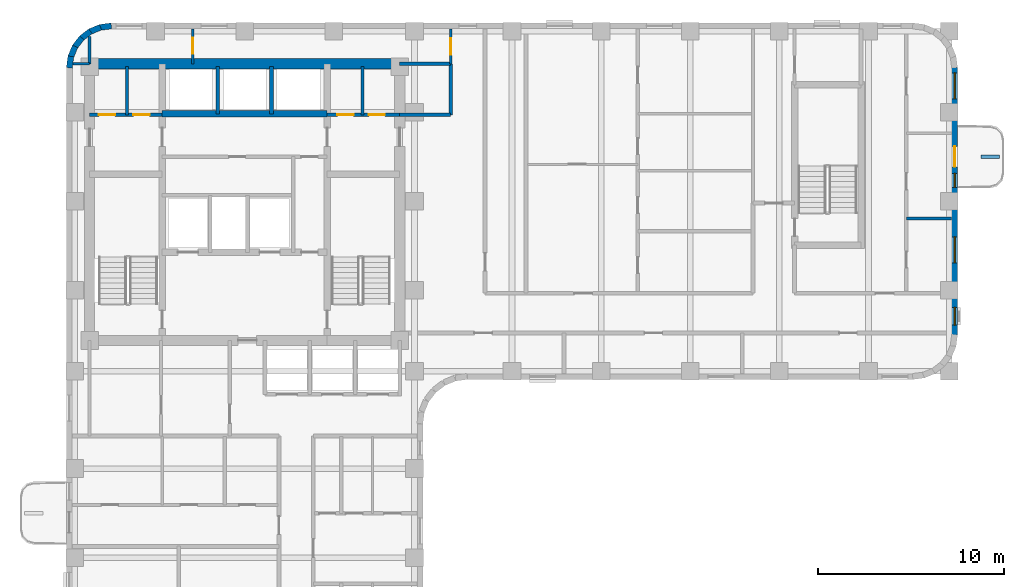
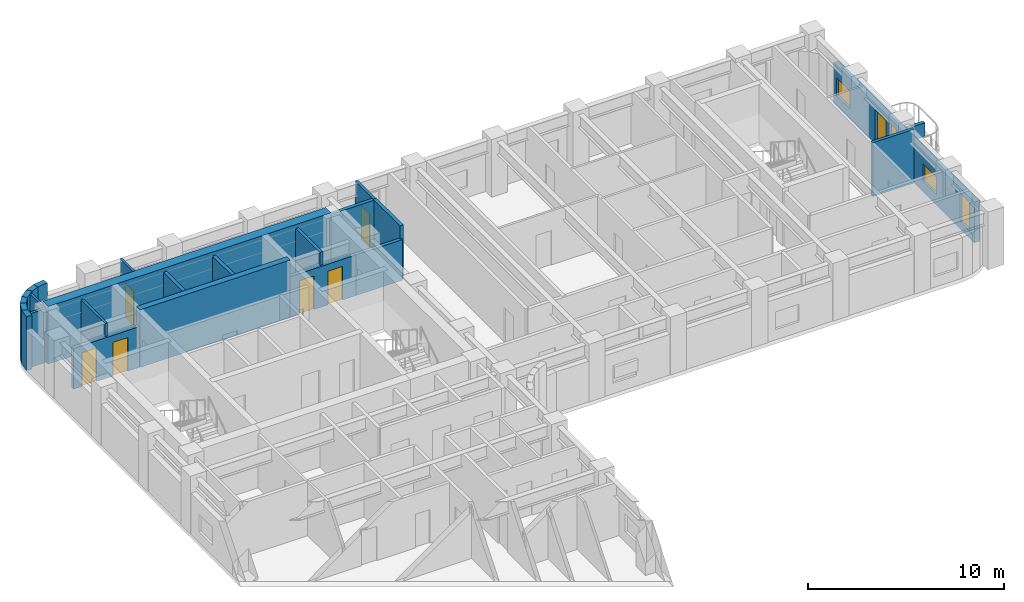
# One storey, part 6 of 10: 24 walls, 7 doors, 4 windows, 11 openings.
"""IFC4 building model written with IfcOpenShell, lengths in metres."""

from ifc_helpers import new_model, si_unit, direction, frame, frame_2d, origin, place, context, subcontext, project, spatial, rectangle, extrude, material, layer, layer_set, type_object, element, fill, save


model = new_model("IFC4")

# Units and contexts
model_context = context("Model", 3, precision=1e-05, world=origin(), true_north=direction((0.0, 1.0)))
body_context = subcontext(model_context, "Body", "Model", "MODEL_VIEW")
ifc_project = project(units=[si_unit("LENGTHUNIT", "METRE"), si_unit("AREAUNIT", "SQUARE_METRE"), si_unit("VOLUMEUNIT", "CUBIC_METRE"), si_unit("PLANEANGLEUNIT", "RADIAN"), si_unit("MASSUNIT", "GRAM", prefix="KILO")], contexts=[model_context])

# Site, building, storey
site_placement = place(None, origin())
site = spatial("IfcSite", under=ifc_project, at=site_placement, CompositionType="ELEMENT")
building_placement = place(site_placement, origin())
building = spatial("IfcBuilding", under=site, at=building_placement, Name="Orvandelia Arch Residences", CompositionType="ELEMENT")
storey_placement = place(building_placement, frame((0.0, 0.0, 139.60009765625)))
storey = spatial("IfcBuildingStorey", under=building, at=storey_placement, Name="L36", CompositionType="ELEMENT", Elevation=139.60009765625)

# Walls
ifc_material_1 = material(Name="Concrete C50/60", Category="concrete")
ifc_layer_1 = layer(ifc_material_1, 0.35009765625, Name="Concrete C50/60", Category="concrete")
ifc_layer_set_1 = layer_set([ifc_layer_1], Name="Concrete C50/60")
wall_type_1 = type_object("IfcWallType", Name="WL-CORE-350", PredefinedType="SHEAR", material=ifc_layer_set_1)
wall_1_placement = place(storey_placement, frame((9.9599609375, 43.10009765625, 0.0), z_axis=(0.0, 0.0, 1.0), x_axis=(1.0, 0.0, 0.0)))
element("IfcWall", 1, at=wall_1_placement, inside=storey, type_object=wall_type_1, Name="Core Shear Wall L36-HZ4", PredefinedType="SHEAR", context=body_context, shape_type="SweptSolid", body=[
    extrude(rectangle(XDim=8.880126953125, YDim=0.35009765625, at=frame_2d((4.43994140625, 0.0))), origin(), (0.0, 0.0, 1.0), 3.599853515625),
])
ifc_material_2 = material(Name="Concrete C60/75", Category="concrete")
ifc_layer_2 = layer(ifc_material_2, 0.550048828125, Name="Concrete C60/75", Category="concrete")
ifc_layer_set_2 = layer_set([ifc_layer_2], Name="Concrete C60/75")
wall_type_2 = type_object("IfcWallType", Name="WL-CORE-550", PredefinedType="SHEAR", material=ifc_layer_set_2)
wall_2_placement = place(storey_placement, frame((6.050048828125, 45.800048828125, 0.0), z_axis=(0.0, 0.0, 1.0), x_axis=(1.0, 0.0, 0.0)))
element("IfcWall", 2, at=wall_2_placement, inside=storey, type_object=wall_type_2, Name="Core Shear Wall L36-N", PredefinedType="SHEAR", context=body_context, shape_type="SweptSolid", body=[
    extrude(rectangle(XDim=16.699951171875, YDim=0.550048828125, at=frame_2d((8.35009765625, 0.0))), origin(), (0.0, 0.0, 1.0), 3.599853515625),
])
ifc_material_3 = material(Name="Fire-Rated Corridor Partition")
ifc_layer_3 = layer(ifc_material_3, 0.199951171875, Name="Fire-Rated Corridor Partition")
ifc_layer_set_3 = layer_set([ifc_layer_3], Name="Fire-Rated Corridor Partition")
wall_type_3 = type_object("IfcWallType", Name="WL-CORR-200", PredefinedType="PARTITIONING", material=ifc_layer_set_3)
wall_3_placement = place(storey_placement, frame((22.75, 45.800048828125, 0.0), z_axis=(0.0, 0.0, 1.0), x_axis=(1.0, 0.0, 0.0)))
element("IfcWall", 3, at=wall_3_placement, inside=storey, type_object=wall_type_3, Name="Interior Partition Wall WL-L36-NCE-S", PredefinedType="PARTITIONING", context=body_context, shape_type="SweptSolid", body=[
    extrude(rectangle(XDim=2.75, YDim=0.199951171875, at=frame_2d((1.375, 0.0))), origin(), (0.0, 0.0, 1.0), 3.35986328125),
])
wall_4_placement = place(storey_placement, frame((22.75, 43.050048828125, 0.0), z_axis=(0.0, 0.0, 1.0), x_axis=(1.0, 0.0, 0.0)))
element("IfcWall", 4, at=wall_4_placement, inside=storey, type_object=wall_type_3, Name="Interior Partition Wall WL-L36-ES-LS", PredefinedType="PARTITIONING", context=body_context, shape_type="SweptSolid", body=[
    extrude(rectangle(XDim=2.75, YDim=0.199951171875, at=frame_2d((1.375, 0.0))), origin(), (0.0, 0.0, 1.0), 2.539794921875),
])
wall_5_placement = place(storey_placement, frame((25.5, 43.050048828125, 0.0), z_axis=(0.0, 0.0, 1.0), x_axis=(0.0, 1.0, 0.0)))
element("IfcWall", 5, at=wall_5_placement, inside=storey, type_object=wall_type_3, Name="Interior Partition Wall WL-L36-ES-LW2", PredefinedType="PARTITIONING", context=body_context, shape_type="SweptSolid", body=[
    extrude(rectangle(XDim=2.75, YDim=0.199951171875, at=frame_2d((1.375, 0.0))), origin(), (0.0, 0.0, 1.0), 3.35986328125),
])
ifc_material_4 = material(Name="Precast concrete C40/50", Category="concrete")
ifc_layer_4 = layer(ifc_material_4, 0.320068359375, Name="Precast concrete C40/50", Category="concrete")
ifc_layer_set_4 = layer_set([ifc_layer_4], Name="Precast concrete C40/50")
wall_type_4 = type_object("IfcWallType", Name="WL-EXT-STONE-320", PredefinedType="STANDARD", material=ifc_layer_set_4)
for number, where, z_axis, x_axis, name in (
    (6, (4.95849609375, 45.5791015625, 0.0), (0.0, 0.0, 1.0), (0.130555323746, 0.9914410257, 0.0), "Coral-Limestone Precast Facade Wall L36-001"),
    (7, (5.029541015625, 46.159912109375, 0.0), (0.0, 0.0, 1.0), (0.382650053678, 0.92389335771, 0.0), "Coral-Limestone Precast Facade Wall L36-002"),
):
    element("IfcWall", number, at=place(storey_placement, frame(where, z_axis=z_axis, x_axis=x_axis)), inside=storey, type_object=wall_type_4, Name=name, PredefinedType="STANDARD", context=body_context, shape_type="SweptSolid", body=[
        extrude(rectangle(XDim=0.62646484375, YDim=0.320068359375, at=frame_2d((0.313232421875, 0.0))), origin(), (0.0, 0.0, 1.0), 3.35986328125),
    ])
wall_6_placement = place(storey_placement, frame((5.248291015625, 46.70263671875, 0.0), z_axis=(0.0, 0.0, 1.0), x_axis=(0.608938521285, 0.7932174212, 0.0)))
element("IfcWall", 8, at=wall_6_placement, inside=storey, type_object=wall_type_4, Name="Coral-Limestone Precast Facade Wall L36-003", PredefinedType="STANDARD", context=body_context, shape_type="SweptSolid", body=[
    extrude(rectangle(XDim=0.626708984375, YDim=0.320068359375, at=frame_2d((0.3134765625, 0.0))), origin(), (0.0, 0.0, 1.0), 3.35986328125),
])
wall_7_placement = place(storey_placement, frame((5.600341796875, 47.170166015625, 0.0), z_axis=(0.0, 0.0, 1.0), x_axis=(0.793405610854, 0.608693302629, 0.0)))
element("IfcWall", 9, at=wall_7_placement, inside=storey, type_object=wall_type_4, Name="Coral-Limestone Precast Facade Wall L36-004", PredefinedType="STANDARD", context=body_context, shape_type="SweptSolid", body=[
    extrude(rectangle(XDim=0.62646484375, YDim=0.320068359375, at=frame_2d((0.313232421875, 0.0))), origin(), (0.0, 0.0, 1.0), 3.35986328125),
])
wall_8_placement = place(storey_placement, frame((6.061279296875, 47.53076171875, 0.0), z_axis=(0.0, 0.0, 1.0), x_axis=(0.923836271867, 0.382787856107, 0.0)))
element("IfcWall", 10, at=wall_8_placement, inside=storey, type_object=wall_type_4, Name="Coral-Limestone Precast Facade Wall L36-005", PredefinedType="STANDARD", context=body_context, shape_type="SweptSolid", body=[
    extrude(rectangle(XDim=0.626220703125, YDim=0.320068359375, at=frame_2d((0.31298828125, 0.0))), origin(), (0.0, 0.0, 1.0), 3.35986328125),
])
wall_9_placement = place(storey_placement, frame((6.599609375, 47.759521484375, 0.0), z_axis=(0.0, 0.0, 1.0), x_axis=(0.991447664465, 0.130504898859, 0.0)))
element("IfcWall", 11, at=wall_9_placement, inside=storey, type_object=wall_type_4, Name="Coral-Limestone Precast Facade Wall L36-006", PredefinedType="STANDARD", context=body_context, shape_type="SweptSolid", body=[
    extrude(rectangle(XDim=0.626708984375, YDim=0.320068359375, at=frame_2d((0.3134765625, 0.0))), origin(), (0.0, 0.0, 1.0), 3.35986328125),
])

# Wall, openings, door, windows
wall_10_placement = place(storey_placement, frame((52.639892578125, 45.60009765625, 0.0), z_axis=(0.0, 0.0, 1.0), x_axis=(0.0, -1.0, 0.0)))
wall_10 = element("IfcWall", 12, at=wall_10_placement, inside=storey, type_object=wall_type_4, Name="Coral-Limestone Precast Facade Wall L36-014", PredefinedType="STANDARD", context=body_context, shape_type="SweptSolid", body=[
    extrude(rectangle(XDim=14.400146484375, YDim=0.320068359375, at=frame_2d((7.2001953125, 0.0))), origin(), (0.0, 0.0, 1.0), 2.539794921875),
])
opening_1_placement = place(wall_10_placement, frame((4.25, 0.0, 0.0)))
opening_1 = element("IfcOpeningElement", 13, at=opening_1_placement, cuts=wall_10, Name="Opening BD1", PredefinedType="OPENING", context=body_context, shape_type="SweptSolid", body=[
    extrude(rectangle(XDim=1.10009765625, YDim=2.14990234375, at=frame_2d((0.550048828125, 1.074951171875))), frame((0.0, 0.169921875, 0.0), z_axis=(0.0, -1.0, 0.0), x_axis=(1.0, 0.0, 0.0)), (0.0, 0.0, 1.0), 0.340087890625),
])
opening_2_placement = place(wall_10_placement, frame((0.282470703125, 0.0, 0.64990234375)))
opening_2 = element("IfcOpeningElement", 14, at=opening_2_placement, cuts=wall_10, Name="Opening W10", PredefinedType="OPENING", context=body_context, shape_type="SweptSolid", body=[
    extrude(rectangle(XDim=1.39990234375, YDim=1.10009765625, at=frame_2d((0.699951171875, 0.550048828125))), frame((0.0, 0.169921875, 0.0), z_axis=(0.0, -1.0, 0.0), x_axis=(1.0, 0.0, 0.0)), (0.0, 0.0, 1.0), 0.340087890625),
])
opening_3_placement = place(wall_10_placement, frame((12.922607421875, 0.0, 0.449951171875)))
opening_3 = element("IfcOpeningElement", 15, at=opening_3_placement, cuts=wall_10, Name="Opening W4", PredefinedType="OPENING", context=body_context, shape_type="SweptSolid", body=[
    extrude(rectangle(XDim=0.949951171875, YDim=1.800048828125, at=frame_2d((0.47509765625, 0.89990234375))), frame((0.0, 0.169921875, 0.0), z_axis=(0.0, -1.0, 0.0), x_axis=(1.0, 0.0, 0.0)), (0.0, 0.0, 1.0), 0.340087890625),
])
opening_4_placement = place(wall_10_placement, frame((9.119384765625, 0.0, 0.64990234375)))
opening_4 = element("IfcOpeningElement", 16, at=opening_4_placement, cuts=wall_10, Name="Opening W10", PredefinedType="OPENING", context=body_context, shape_type="SweptSolid", body=[
    extrude(rectangle(XDim=1.39990234375, YDim=1.10009765625, at=frame_2d((0.699951171875, 0.550048828125))), frame((0.0, 0.169921875, 0.0), z_axis=(0.0, -1.0, 0.0), x_axis=(1.0, 0.0, 0.0)), (0.0, 0.0, 1.0), 0.340087890625),
])
opening_5_placement = place(wall_10_placement, frame((5.702392578125, 0.0, 0.449951171875)))
opening_5 = element("IfcOpeningElement", 17, at=opening_5_placement, cuts=wall_10, Name="Opening W11", PredefinedType="OPENING", context=body_context, shape_type="SweptSolid", body=[
    extrude(rectangle(XDim=0.75, YDim=1.800048828125, at=frame_2d((0.375, 0.89990234375))), frame((0.0, 0.169921875, 0.0), z_axis=(0.0, -1.0, 0.0), x_axis=(1.0, 0.0, 0.0)), (0.0, 0.0, 1.0), 0.340087890625),
])
ifc_material_5 = material(Name="Thermally Broken Aluminium Glazed Door", Category="aluminium")
door_type_1 = type_object("IfcDoorType", Name="DR-BAL-GLAZ-1100", OperationType="NOTDEFINED", PredefinedType="DOOR", material=ifc_material_5)
door_1_placement = place(opening_1_placement, origin())
door_1 = element("IfcDoor", 18, at=door_1_placement, inside=storey, type_object=door_type_1, Name="Tree Balcony Glazed Door BAL-L36-E1", OperationType="SINGLE_SWING_LEFT", OverallHeight=2.14990234375, OverallWidth=1.10009765625, PredefinedType="DOOR", context=body_context, shape_type="SweptSolid", body=[
    extrude(rectangle(XDim=1.10009765625, YDim=2.14990234375, at=frame_2d((0.550048828125, 1.074951171875))), frame((0.0, 0.02490234375, 0.0), z_axis=(0.0, -1.0, 0.0), x_axis=(1.0, 0.0, 0.0)), (0.0, 0.0, 1.0), 0.050048828125),
])
fill(opening_1, door_1)
ifc_material_6 = material(Name="Tempered Low-E Insulated Glazing", Category="glass")
window_type_1 = type_object("IfcWindowType", Name="WIN-BED-0750x1800", PartitioningType="SINGLE_PANEL", PredefinedType="WINDOW", material=ifc_material_6)
window_1_placement = place(opening_5_placement, origin())
window_1 = element("IfcWindow", 19, at=window_1_placement, inside=storey, type_object=window_type_1, Name="Recessed Punched Window L36-011", OverallHeight=1.800048828125, OverallWidth=0.75, PartitioningType="SINGLE_PANEL", PredefinedType="WINDOW", context=body_context, shape_type="SweptSolid", body=[
    extrude(rectangle(XDim=0.75, YDim=1.800048828125, at=frame_2d((0.375, 0.89990234375))), frame((0.0, 0.030029296875, 0.0), z_axis=(0.0, -1.0, 0.0), x_axis=(1.0, 0.0, 0.0)), (0.0, 0.0, 1.0), 0.06005859375),
])
fill(opening_5, window_1)
window_type_2 = type_object("IfcWindowType", Name="WIN-CLR-1400x1100", PartitioningType="SINGLE_PANEL", PredefinedType="WINDOW", material=ifc_material_6)
window_2_placement = place(opening_2_placement, origin())
window_2 = element("IfcWindow", 20, at=window_2_placement, inside=storey, type_object=window_type_2, Name="Recessed Punched Window L36-008", OverallHeight=1.10009765625, OverallWidth=1.39990234375, PartitioningType="SINGLE_PANEL", PredefinedType="WINDOW", context=body_context, shape_type="SweptSolid", body=[
    extrude(rectangle(XDim=1.39990234375, YDim=1.10009765625, at=frame_2d((0.699951171875, 0.550048828125))), frame((0.0, 0.030029296875, 0.0), z_axis=(0.0, -1.0, 0.0), x_axis=(1.0, 0.0, 0.0)), (0.0, 0.0, 1.0), 0.06005859375),
])
fill(opening_2, window_2)
window_3_placement = place(opening_4_placement, origin())
window_3 = element("IfcWindow", 21, at=window_3_placement, inside=storey, type_object=window_type_2, Name="Recessed Punched Window L36-010", OverallHeight=1.10009765625, OverallWidth=1.39990234375, PartitioningType="SINGLE_PANEL", PredefinedType="WINDOW", context=body_context, shape_type="SweptSolid", body=[
    extrude(rectangle(XDim=1.39990234375, YDim=1.10009765625, at=frame_2d((0.699951171875, 0.550048828125))), frame((0.0, 0.030029296875, 0.0), z_axis=(0.0, -1.0, 0.0), x_axis=(1.0, 0.0, 0.0)), (0.0, 0.0, 1.0), 0.06005859375),
])
fill(opening_4, window_3)
window_type_3 = type_object("IfcWindowType", Name="WIN-RES-0950x1800", PartitioningType="SINGLE_PANEL", PredefinedType="WINDOW", material=ifc_material_6)
window_4_placement = place(opening_3_placement, origin())
window_4 = element("IfcWindow", 22, at=window_4_placement, inside=storey, type_object=window_type_3, Name="Recessed Punched Window L36-009", OverallHeight=1.800048828125, OverallWidth=0.949951171875, PartitioningType="SINGLE_PANEL", PredefinedType="WINDOW", context=body_context, shape_type="SweptSolid", body=[
    extrude(rectangle(XDim=0.949951171875, YDim=1.800048828125, at=frame_2d((0.47509765625, 0.89990234375))), frame((0.0, 0.030029296875, 0.0), z_axis=(0.0, -1.0, 0.0), x_axis=(1.0, 0.0, 0.0)), (0.0, 0.0, 1.0), 0.06005859375),
])
fill(opening_3, window_4)

# Walls
ifc_material_7 = material(Name="Acoustic Gypsum Stud Partition")
ifc_layer_5 = layer(ifc_material_7, 0.14990234375, Name="Acoustic Gypsum Stud Partition")
ifc_layer_set_5 = layer_set([ifc_layer_5], Name="Acoustic Gypsum Stud Partition")
wall_type_5 = type_object("IfcWallType", Name="WL-PART-150", PredefinedType="PARTITIONING", material=ifc_layer_set_5)
wall_11_placement = place(storey_placement, frame((8.06005859375, 43.050048828125, 0.0), z_axis=(0.0, 0.0, 1.0), x_axis=(0.0, 1.0, 0.0)))
element("IfcWall", 23, at=wall_11_placement, inside=storey, type_object=wall_type_5, Name="Interior Partition Wall WL-L36-CRELC-M", PredefinedType="PARTITIONING", context=body_context, shape_type="SweptSolid", body=[
    extrude(rectangle(XDim=2.599853515625, YDim=0.14990234375, at=frame_2d((1.2998046875, 0.0))), origin(), (0.0, 0.0, 1.0), 3.35986328125),
])
wall_12_placement = place(storey_placement, frame((5.159912109375, 45.800048828125, 0.0), z_axis=(0.0, 0.0, 1.0), x_axis=(1.0, 0.0, 0.0)))
element("IfcWall", 24, at=wall_12_placement, inside=storey, type_object=wall_type_5, Name="Interior Partition Wall WL-L36-WF-N", PredefinedType="PARTITIONING", context=body_context, shape_type="SweptSolid", body=[
    extrude(rectangle(XDim=0.89013671875, YDim=0.14990234375, at=frame_2d((0.445068359375, 0.0))), origin(), (0.0, 0.0, 1.0), 3.35986328125),
])

# Wall, opening, door
wall_13_placement = place(storey_placement, frame((25.5, 45.800048828125, 0.0), z_axis=(0.0, 0.0, 1.0), x_axis=(0.0, 1.0, 0.0)))
wall_13 = element("IfcWall", 25, at=wall_13_placement, inside=storey, type_object=wall_type_5, Name="Interior Partition Wall WL-L36-NCE-W", PredefinedType="PARTITIONING", context=body_context, shape_type="SweptSolid", body=[
    extrude(rectangle(XDim=1.8798828125, YDim=0.14990234375, at=frame_2d((0.93994140625, 0.0))), origin(), (0.0, 0.0, 1.0), 3.35986328125),
])
opening_6_placement = place(wall_13_placement, frame((0.5, 0.0, 0.0)))
opening_6 = element("IfcOpeningElement", 26, at=opening_6_placement, cuts=wall_13, Name="Opening D5", PredefinedType="OPENING", context=body_context, shape_type="SweptSolid", body=[
    extrude(rectangle(XDim=0.8798828125, YDim=2.10009765625, at=frame_2d((0.43994140625, 1.050048828125))), frame((0.0, 0.0849609375, 0.0), z_axis=(0.0, -1.0, 0.0), x_axis=(1.0, 0.0, 0.0)), (0.0, 0.0, 1.0), 0.169921875),
])
ifc_material_8 = material(Name="Painted Galvanised Steel Service Door", Category="steel")
door_type_2 = type_object("IfcDoorType", Name="DR-SRV-880", OperationType="NOTDEFINED", PredefinedType="DOOR", material=ifc_material_8)
door_2_placement = place(opening_6_placement, origin())
door_2 = element("IfcDoor", 27, at=door_2_placement, inside=storey, type_object=door_type_2, Name="DR-L36-NCS2", OperationType="SINGLE_SWING_LEFT", OverallHeight=2.10009765625, OverallWidth=0.8798828125, PredefinedType="DOOR", context=body_context, shape_type="SweptSolid", body=[
    extrude(rectangle(XDim=0.8798828125, YDim=2.10009765625, at=frame_2d((0.43994140625, 1.050048828125))), frame((0.0, 0.02490234375, 0.0), z_axis=(0.0, -1.0, 0.0), x_axis=(1.0, 0.0, 0.0)), (0.0, 0.0, 1.0), 0.050048828125),
])
fill(opening_6, door_2)

# Wall
wall_14_placement = place(storey_placement, frame((6.050048828125, 45.800048828125, 0.0), z_axis=(0.0, 0.0, 1.0), x_axis=(0.0, 1.0, 0.0)))
element("IfcWall", 28, at=wall_14_placement, inside=storey, type_object=wall_type_5, Name="Interior Partition Wall WL-L36-NC-W6", PredefinedType="PARTITIONING", context=body_context, shape_type="SweptSolid", body=[
    extrude(rectangle(XDim=1.4599609375, YDim=0.14990234375, at=frame_2d((0.72998046875, 0.0))), origin(), (0.0, 0.0, 1.0), 3.35986328125),
])

# Wall, opening, door
wall_15_placement = place(storey_placement, frame((11.60009765625, 45.800048828125, 0.0), z_axis=(0.0, 0.0, 1.0), x_axis=(0.0, 1.0, 0.0)))
wall_15 = element("IfcWall", 29, at=wall_15_placement, inside=storey, type_object=wall_type_5, Name="Interior Partition Wall WL-L36-NC-M", PredefinedType="PARTITIONING", context=body_context, shape_type="SweptSolid", body=[
    extrude(rectangle(XDim=1.8798828125, YDim=0.14990234375, at=frame_2d((0.93994140625, 0.0))), origin(), (0.0, 0.0, 1.0), 3.35986328125),
])
opening_7_placement = place(wall_15_placement, frame((0.550048828125, 0.0, 0.0)))
opening_7 = element("IfcOpeningElement", 30, at=opening_7_placement, cuts=wall_15, Name="Opening D4", PredefinedType="OPENING", context=body_context, shape_type="SweptSolid", body=[
    extrude(rectangle(XDim=0.860107421875, YDim=2.10009765625, at=frame_2d((0.43017578125, 1.050048828125))), frame((0.0, 0.0849609375, 0.0), z_axis=(0.0, -1.0, 0.0), x_axis=(1.0, 0.0, 0.0)), (0.0, 0.0, 1.0), 0.169921875),
])
ifc_material_9 = material(Name="Moisture-Sealed Timber Bathroom Door", Category="wood")
door_type_3 = type_object("IfcDoorType", Name="DR-WET-900", OperationType="NOTDEFINED", PredefinedType="DOOR", material=ifc_material_9)
door_3_placement = place(opening_7_placement, origin())
door_3 = element("IfcDoor", 31, at=door_3_placement, inside=storey, type_object=door_type_3, Name="DR-L36-NCS1", OperationType="SINGLE_SWING_LEFT", OverallHeight=2.10009765625, OverallWidth=0.860107421875, PredefinedType="DOOR", context=body_context, shape_type="SweptSolid", body=[
    extrude(rectangle(XDim=0.860107421875, YDim=2.10009765625, at=frame_2d((0.43017578125, 1.050048828125))), frame((0.0, 0.02490234375, 0.0), z_axis=(0.0, -1.0, 0.0), x_axis=(1.0, 0.0, 0.0)), (0.0, 0.0, 1.0), 0.050048828125),
])
fill(opening_7, door_3)

# Wall
ifc_layer_6 = layer(ifc_material_4, 0.199951171875, Name="Precast concrete C40/50", Category="concrete")
ifc_layer_set_6 = layer_set([ifc_layer_6], Name="Precast concrete C40/50")
wall_type_6 = type_object("IfcWallType", Name="WL-PLANTER-200", PredefinedType="MOVABLE", material=ifc_layer_set_6)
wall_16_placement = place(storey_placement, frame((54.050048828125, 40.800048828125, 0.0), z_axis=(0.0, 0.0, 1.0), x_axis=(1.0, 0.0, 0.0)))
element("IfcWall", 32, at=wall_16_placement, inside=storey, type_object=wall_type_6, Name="Balcony Precast Tree Planter BAL-L36-E1", PredefinedType="MOVABLE", context=body_context, shape_type="SweptSolid", body=[
    extrude(rectangle(XDim=1.0, YDim=0.199951171875, at=frame_2d((0.5, 0.0))), origin(), (0.0, 0.0, 1.0), 0.849853515625),
])

# Wall, openings, doors
ifc_material_10 = material(Name="Fire-Rated Shaft Enclosure Wall")
ifc_layer_7 = layer(ifc_material_10, 0.199951171875, Name="Fire-Rated Shaft Enclosure Wall")
ifc_layer_set_7 = layer_set([ifc_layer_7], Name="Fire-Rated Shaft Enclosure Wall")
wall_type_7 = type_object("IfcWallType", Name="WL-SHAFT-200", PredefinedType="POLYGONAL", material=ifc_layer_set_7)
wall_17_placement = place(storey_placement, frame((18.840087890625, 43.050048828125, 0.0), z_axis=(0.0, 0.0, 1.0), x_axis=(1.0, 0.0, 0.0)))
wall_17 = element("IfcWall", 33, at=wall_17_placement, inside=storey, type_object=wall_type_7, Name="Interior Partition Wall WL-L36-HLE-N", PredefinedType="POLYGONAL", context=body_context, shape_type="SweptSolid", body=[
    extrude(rectangle(XDim=3.909912109375, YDim=0.199951171875, at=frame_2d((1.955078125, 0.0))), origin(), (0.0, 0.0, 1.0), 2.539794921875),
])
opening_8_placement = place(wall_17_placement, frame((0.550048828125, 0.0, 0.0)))
opening_8 = element("IfcOpeningElement", 34, at=opening_8_placement, cuts=wall_17, Name="Opening D5", PredefinedType="OPENING", context=body_context, shape_type="SweptSolid", body=[
    extrude(rectangle(XDim=0.8798828125, YDim=2.10009765625, at=frame_2d((0.43994140625, 1.050048828125))), frame((0.0, 0.10986328125, 0.0), z_axis=(0.0, -1.0, 0.0), x_axis=(1.0, 0.0, 0.0)), (0.0, 0.0, 1.0), 0.219970703125),
])
opening_9_placement = place(wall_17_placement, frame((2.25, 0.0, 0.0)))
opening_9 = element("IfcOpeningElement", 35, at=opening_9_placement, cuts=wall_17, Name="Opening D4", PredefinedType="OPENING", context=body_context, shape_type="SweptSolid", body=[
    extrude(rectangle(XDim=0.860107421875, YDim=2.10009765625, at=frame_2d((0.43017578125, 1.050048828125))), frame((0.0, 0.10986328125, 0.0), z_axis=(0.0, -1.0, 0.0), x_axis=(1.0, 0.0, 0.0)), (0.0, 0.0, 1.0), 0.219970703125),
])
door_4_placement = place(opening_8_placement, origin())
door_4 = element("IfcDoor", 36, at=door_4_placement, inside=storey, type_object=door_type_2, Name="DR-L36-CSB1", OperationType="SINGLE_SWING_LEFT", OverallHeight=2.10009765625, OverallWidth=0.8798828125, PredefinedType="DOOR", context=body_context, shape_type="SweptSolid", body=[
    extrude(rectangle(XDim=0.8798828125, YDim=2.10009765625, at=frame_2d((0.43994140625, 1.050048828125))), frame((0.0, 0.02490234375, 0.0), z_axis=(0.0, -1.0, 0.0), x_axis=(1.0, 0.0, 0.0)), (0.0, 0.0, 1.0), 0.050048828125),
])
fill(opening_8, door_4)
door_5_placement = place(opening_9_placement, origin())
door_5 = element("IfcDoor", 37, at=door_5_placement, inside=storey, type_object=door_type_3, Name="DR-L36-CSB2", OperationType="SINGLE_SWING_RIGHT", OverallHeight=2.10009765625, OverallWidth=0.860107421875, PredefinedType="DOOR", context=body_context, shape_type="SweptSolid", body=[
    extrude(rectangle(XDim=0.860107421875, YDim=2.10009765625, at=frame_2d((0.43017578125, 1.050048828125))), frame((0.0, 0.02490234375, 0.0), z_axis=(0.0, -1.0, 0.0), x_axis=(1.0, 0.0, 0.0)), (0.0, 0.0, 1.0), 0.050048828125),
])
fill(opening_9, door_5)

wall_18_placement = place(storey_placement, frame((6.050048828125, 43.050048828125, 0.0), z_axis=(0.0, 0.0, 1.0), x_axis=(1.0, 0.0, 0.0)))
wall_18 = element("IfcWall", 38, at=wall_18_placement, inside=storey, type_object=wall_type_7, Name="Interior Partition Wall WL-L36-HLW-N", PredefinedType="POLYGONAL", context=body_context, shape_type="SweptSolid", body=[
    extrude(rectangle(XDim=3.909912109375, YDim=0.199951171875, at=frame_2d((1.955078125, 0.0))), origin(), (0.0, 0.0, 1.0), 2.539794921875),
])
opening_10_placement = place(wall_18_placement, frame((0.5, 0.0, 0.0)))
opening_10 = element("IfcOpeningElement", 39, at=opening_10_placement, cuts=wall_18, Name="Opening D5", PredefinedType="OPENING", context=body_context, shape_type="SweptSolid", body=[
    extrude(rectangle(XDim=0.8798828125, YDim=2.10009765625, at=frame_2d((0.43994140625, 1.050048828125))), frame((0.0, 0.10986328125, 0.0), z_axis=(0.0, -1.0, 0.0), x_axis=(1.0, 0.0, 0.0)), (0.0, 0.0, 1.0), 0.219970703125),
])
opening_11_placement = place(wall_18_placement, frame((2.35009765625, 0.0, 0.0)))
opening_11 = element("IfcOpeningElement", 40, at=opening_11_placement, cuts=wall_18, Name="Opening D5", PredefinedType="OPENING", context=body_context, shape_type="SweptSolid", body=[
    extrude(rectangle(XDim=0.8798828125, YDim=2.10009765625, at=frame_2d((0.43994140625, 1.050048828125))), frame((0.0, 0.10986328125, 0.0), z_axis=(0.0, -1.0, 0.0), x_axis=(1.0, 0.0, 0.0)), (0.0, 0.0, 1.0), 0.219970703125),
])
door_6_placement = place(opening_10_placement, origin())
door_6 = element("IfcDoor", 41, at=door_6_placement, inside=storey, type_object=door_type_2, Name="DR-L36-CRELC1", OperationType="SINGLE_SWING_LEFT", OverallHeight=2.10009765625, OverallWidth=0.8798828125, PredefinedType="DOOR", context=body_context, shape_type="SweptSolid", body=[
    extrude(rectangle(XDim=0.8798828125, YDim=2.10009765625, at=frame_2d((0.43994140625, 1.050048828125))), frame((0.0, 0.02490234375, 0.0), z_axis=(0.0, -1.0, 0.0), x_axis=(1.0, 0.0, 0.0)), (0.0, 0.0, 1.0), 0.050048828125),
])
fill(opening_10, door_6)
door_7_placement = place(opening_11_placement, origin())
door_7 = element("IfcDoor", 42, at=door_7_placement, inside=storey, type_object=door_type_2, Name="DR-L36-CRELC2", OperationType="SINGLE_SWING_RIGHT", OverallHeight=2.10009765625, OverallWidth=0.8798828125, PredefinedType="DOOR", context=body_context, shape_type="SweptSolid", body=[
    extrude(rectangle(XDim=0.8798828125, YDim=2.10009765625, at=frame_2d((0.43994140625, 1.050048828125))), frame((0.0, 0.02490234375, 0.0), z_axis=(0.0, -1.0, 0.0), x_axis=(1.0, 0.0, 0.0)), (0.0, 0.0, 1.0), 0.050048828125),
])
fill(opening_11, door_7)

# Walls
for number, where, z_axis, x_axis, name in (
    (43, (12.949951171875, 43.10009765625, 0.0), (0.0, 0.0, 1.0), (0.0, 1.0, 0.0), "Interior Partition Wall WL-L36-PHD1"),
    (44, (15.85009765625, 43.10009765625, 0.0), (0.0, 0.0, 1.0), (0.0, 1.0, 0.0), "Interior Partition Wall WL-L36-PHD2"),
):
    element("IfcWall", number, at=place(storey_placement, frame(where, z_axis=z_axis, x_axis=x_axis)), inside=storey, type_object=wall_type_7, Name=name, PredefinedType="POLYGONAL", context=body_context, shape_type="SweptSolid", body=[
        extrude(rectangle(XDim=2.5498046875, YDim=0.199951171875, at=frame_2d((1.27490234375, 0.0))), origin(), (0.0, 0.0, 1.0), 3.35986328125),
    ])
ifc_material_11 = material(Name="Moisture-Resistant Plumbing Wall")
ifc_layer_8 = layer(ifc_material_11, 0.179931640625, Name="Moisture-Resistant Plumbing Wall")
ifc_layer_set_8 = layer_set([ifc_layer_8], Name="Moisture-Resistant Plumbing Wall")
wall_type_8 = type_object("IfcWallType", Name="WL-WET-180", PredefinedType="PLUMBINGWALL", material=ifc_layer_set_8)
wall_19_placement = place(storey_placement, frame((20.75, 43.050048828125, 0.0), z_axis=(0.0, 0.0, 1.0), x_axis=(0.0, 1.0, 0.0)))
element("IfcWall", 45, at=wall_19_placement, inside=storey, type_object=wall_type_8, Name="Interior Partition Wall WL-L36-CSB-1", PredefinedType="PLUMBINGWALL", context=body_context, shape_type="SweptSolid", body=[
    extrude(rectangle(XDim=2.599853515625, YDim=0.179931640625, at=frame_2d((1.2998046875, 0.0))), origin(), (0.0, 0.0, 1.0), 3.35986328125),
])
wall_20_placement = place(storey_placement, frame((50.04296875, 37.466064453125, 0.0), z_axis=(0.0, 0.0, 1.0), x_axis=(1.0, 0.0, 0.0)))
element("IfcWall", 46, at=wall_20_placement, inside=storey, type_object=wall_type_8, Name="Interior Partition Wall WL-L36-U07-H1", PredefinedType="PLUMBINGWALL", context=body_context, shape_type="SweptSolid", body=[
    extrude(rectangle(XDim=2.43701171875, YDim=0.179931640625, at=frame_2d((1.218505859375, 0.0))), origin(), (0.0, 0.0, 1.0), 3.35986328125),
])

save(model, "model.ifc")
